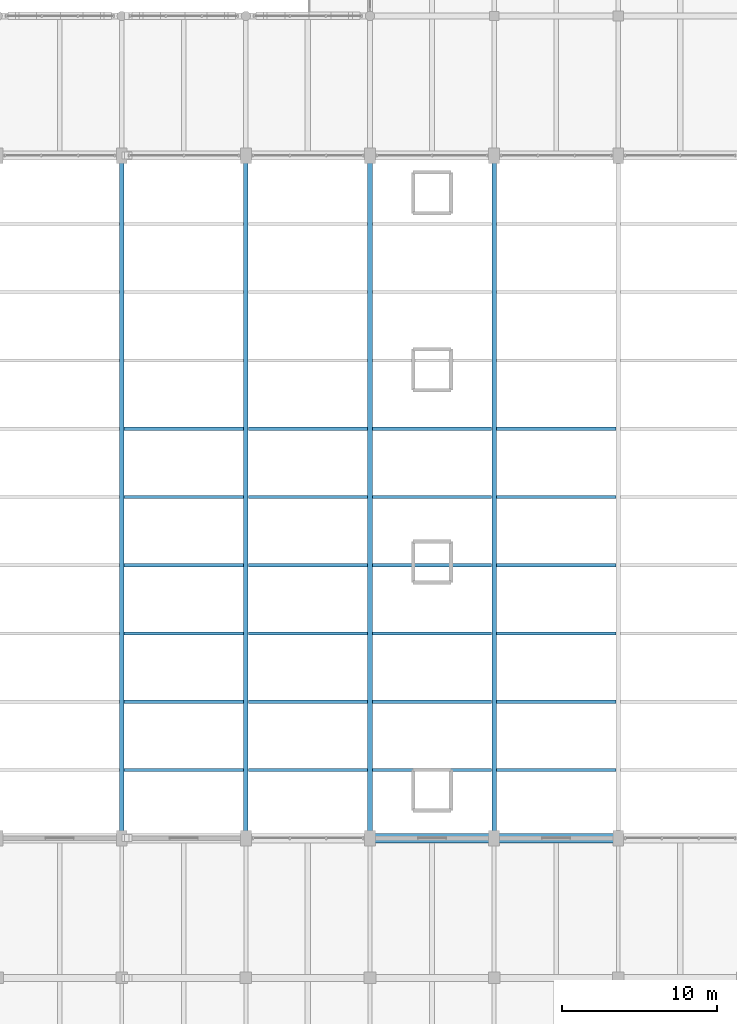
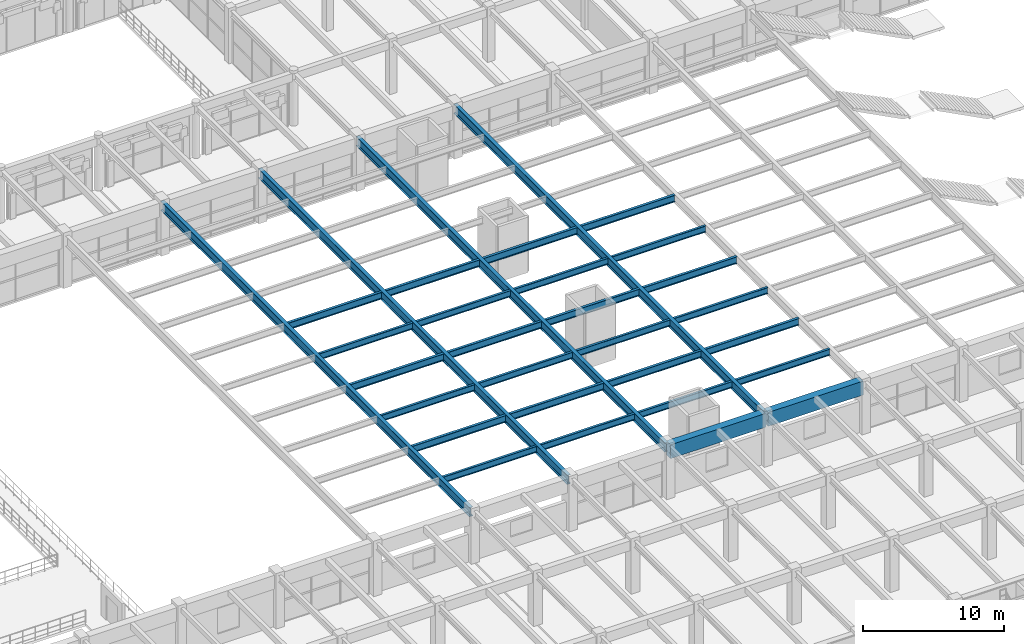
# One storey, part 26 of 144: 30 beams.
"""IFC4 building model written with IfcOpenShell, lengths in metres."""

import ifcopenshell
import ifcopenshell.guid

model = None  # the IFC model being written
_history = None  # IfcOwnerHistory: only IFC2X3 demands one
_inside = {}  # id of a spatial element -> (the spatial element, [elements in it])
_under = {}  # id of a project, library or spatial element -> (it, [spatial elements below it])
_declared = {}  # id of a project -> (the project, [libraries it declares])
_typed = {}  # id of a type object -> (the type object, [elements of that type])
_made_of = {}  # id of a material, layer set ... -> (it, [elements and type objects made of it])


def new_model(schema):
    """Start an empty IFC model of exactly this schema.

    Asked for "IFC4X3", IfcOpenShell would pick the latest addendum, in which some entities
    have other attributes; the version numbers below select the first issue.
    IFC2X3 requires an IfcOwnerHistory on every rooted entity: one is made here for all.
    """
    global model, _history
    if schema == "IFC4X3":
        model = ifcopenshell.file(schema_version=(4, 3, 0, 0))
    else:
        model = ifcopenshell.file(schema=schema)
    _inside.clear()
    _under.clear()
    _declared.clear()
    _typed.clear()
    _made_of.clear()
    _history = None
    if model.schema == "IFC2X3":
        org = make("IfcOrganization", Name="unknown")
        user = make(
            "IfcPersonAndOrganization",
            ThePerson=make("IfcPerson", FamilyName="unknown"),
            TheOrganization=org,
        )
        app = make(
            "IfcApplication",
            ApplicationDeveloper=org,
            Version="unknown",
            ApplicationFullName="unknown",
            ApplicationIdentifier="unknown",
        )
        _history = make(
            "IfcOwnerHistory",
            OwningUser=user,
            OwningApplication=app,
            ChangeAction="ADDED",
            CreationDate=0,
        )
    return model


def make(cls, **values):
    """One entity of the class cls with the attributes given. An attribute that is None is left unset."""
    return model.create_entity(
        cls, **{name: value for name, value in values.items() if value is not None}
    )


def rooted(cls, **values):
    """An entity with a GlobalId (a new one), such as an element, a storey or a relation."""
    return make(cls, GlobalId=ifcopenshell.guid.new(), OwnerHistory=_history, **values)


def si_unit(unit_type, name, prefix=None):
    """IfcSIUnit, for example si_unit("LENGTHUNIT", "METRE", prefix="MILLI")."""
    return make("IfcSIUnit", UnitType=unit_type, Prefix=prefix, Name=name)


def assignment(units):
    """IfcUnitAssignment: the units of a project."""
    return None if units is None else make("IfcUnitAssignment", Units=units)


def point(xyz):
    """IfcCartesianPoint."""
    return None if xyz is None else make("IfcCartesianPoint", Coordinates=xyz)


def direction(xyz):
    """IfcDirection."""
    return None if xyz is None else make("IfcDirection", DirectionRatios=xyz)


def frame(location, z_axis=None, x_axis=None):
    """IfcAxis2Placement3D, a coordinate frame: its origin and axes. An axis left out is left unset."""
    return make(
        "IfcAxis2Placement3D",
        Location=point(location),
        Axis=direction(z_axis),
        RefDirection=direction(x_axis),
    )


def frame_2d(location, x_axis=None):
    """IfcAxis2Placement2D, a coordinate frame in the plane: its origin and x axis."""
    return make(
        "IfcAxis2Placement2D", Location=point(location), RefDirection=direction(x_axis)
    )


def origin():
    """The frame at (0, 0, 0) with its axes left unset."""
    return frame((0.0, 0.0, 0.0))


def origin_2d():
    """The frame at (0, 0) in the plane with its x axis left unset."""
    return frame_2d((0.0, 0.0))


def place(relative_to, where):
    """IfcLocalPlacement: puts the frame where relative to a parent placement (None: the world)."""
    return make(
        "IfcLocalPlacement", PlacementRelTo=relative_to, RelativePlacement=where
    )


def context(
    kind, dimensions, precision=None, world=None, true_north=None, identifier=None
):
    """IfcGeometricRepresentationContext, for example the 3D "Model" context."""
    return make(
        "IfcGeometricRepresentationContext",
        ContextIdentifier=identifier,
        ContextType=kind,
        CoordinateSpaceDimension=dimensions,
        Precision=precision,
        WorldCoordinateSystem=world,
        TrueNorth=true_north,
    )


def subcontext(parent, identifier, kind, view, scale=None):
    """IfcGeometricRepresentationSubContext, for example "Body" below "Model"."""
    return make(
        "IfcGeometricRepresentationSubContext",
        ContextIdentifier=identifier,
        ContextType=kind,
        ParentContext=parent,
        TargetScale=scale,
        TargetView=view,
    )


def project(units=None, contexts=None):
    """IfcProject with its units and contexts."""
    return rooted(
        "IfcProject",
        Name="project",
        RepresentationContexts=contexts,
        UnitsInContext=assignment(units),
    )


def spatial(cls, under=None, at=None, **own):
    """A site, building, storey or space (cls), placed at a placement, below another one or the project."""
    s = rooted(cls, ObjectPlacement=at, **own)
    if under is not None:
        _under.setdefault(under.id(), (under, []))[1].append(s)
    return s


def profile(cls, at=None, kind="AREA", **sizes):
    """A parametric profile (cls). Its sizes go by their IFC names, for example OverallWidth=200.0."""
    return make(cls, ProfileType=kind, Position=at, **sizes)


def rectangle(**sizes):
    """IfcRectangleProfileDef."""
    return profile("IfcRectangleProfileDef", **sizes)


def i_section(**sizes):
    """IfcIShapeProfileDef."""
    return profile("IfcIShapeProfileDef", **sizes)


def extrude(swept, where, along, depth):
    """IfcExtrudedAreaSolid: the profile swept, set in the frame where, extruded along a direction by depth."""
    return make(
        "IfcExtrudedAreaSolid",
        SweptArea=swept,
        Position=where,
        ExtrudedDirection=direction(along),
        Depth=depth,
    )


def shape(context_of_items, identifier, shape_type, items):
    """IfcShapeRepresentation: the items that make up one representation, for example the "Body"."""
    return make(
        "IfcShapeRepresentation",
        ContextOfItems=context_of_items,
        RepresentationIdentifier=identifier,
        RepresentationType=shape_type,
        Items=items,
    )


def material(Name=None, Category=None):
    """IfcMaterial."""
    return make("IfcMaterial", Name=Name, Category=Category)


def material_profile(
    of_material, cross_section, Name=None, Category=None, Priority=None
):
    """IfcMaterialProfile: a cross section and its material."""
    return make(
        "IfcMaterialProfile",
        Name=Name,
        Material=of_material,
        Profile=cross_section,
        Priority=Priority,
        Category=Category,
    )


def profile_set(profiles, Name=None, composite=None):
    """IfcMaterialProfileSet."""
    return make(
        "IfcMaterialProfileSet",
        Name=Name,
        MaterialProfiles=profiles,
        CompositeProfile=composite,
    )


def made_of(thing, what):
    """Note that an element or type object is made of a material, layer set ...; save() writes the relation."""
    if what is not None:
        _made_of.setdefault(what.id(), (what, []))[1].append(thing)
    return thing


def type_object(cls, material=None, **own):
    """A type object (cls), such as IfcWallType, which elements share."""
    return made_of(rooted(cls, **own), material)


def element(
    cls,
    number,
    at=None,
    inside=None,
    cuts=None,
    type_object=None,
    material=None,
    context=None,
    identifier="Body",
    shape_type=None,
    held_by="IfcProductDefinitionShape",
    body=None,
    shapes=None,
    **own,
):
    """One element of the class cls, such as IfcWall. Its Tag is "e" and its number.

    at: its placement. inside: the storey or other place that contains it. cuts: it is an
    opening in that element (IfcRelVoidsElement). A single representation is given by context,
    identifier, shape_type and body (its items); several are given by shapes. held_by: the class
    of the entity that holds the representations. save() writes the other relations.
    """
    e = rooted(cls, Tag="e%d" % number, ObjectPlacement=at, **own)
    if body is not None:
        shapes = [shape(context, identifier, shape_type, body)]
    if shapes is not None:
        e.Representation = make(held_by, Representations=shapes)
    if inside is not None:
        _inside.setdefault(inside.id(), (inside, []))[1].append(e)
    if cuts is not None:
        rooted(
            "IfcRelVoidsElement", RelatingBuildingElement=cuts, RelatedOpeningElement=e
        )
    if type_object is not None:
        _typed.setdefault(type_object.id(), (type_object, []))[1].append(e)
    return made_of(e, material)


def aggregate(whole, parts):
    """IfcRelAggregates: a whole, such as a stair, and the parts it consists of."""
    return rooted("IfcRelAggregates", RelatingObject=whole, RelatedObjects=parts)


def save(model, path):
    """Write the relations noted so far, then the file.

    IfcRelAggregates (storeys below a building ...), IfcRelContainedInSpatialStructure (elements
    in a storey), IfcRelDefinesByType, IfcRelAssociatesMaterial and IfcRelDeclares: one each for
    every whole, place, type object, material and project.
    """
    for whole, parts in _under.values():
        aggregate(whole, parts)
    for where, things in _inside.values():
        rooted(
            "IfcRelContainedInSpatialStructure",
            RelatedElements=things,
            RelatingStructure=where,
        )
    for kind, things in _typed.values():
        rooted("IfcRelDefinesByType", RelatedObjects=things, RelatingType=kind)
    for what, things in _made_of.values():
        rooted("IfcRelAssociatesMaterial", RelatedObjects=things, RelatingMaterial=what)
    for by, libraries in _declared.values():
        rooted("IfcRelDeclares", RelatingContext=by, RelatedDefinitions=libraries)
    model.write(path)


model = new_model("IFC4")

# Units and contexts
model_context = context("Model", 3, precision=1e-05, world=origin(), true_north=direction((0.0, 1.0)))
body_context = subcontext(model_context, "Body", "Model", "MODEL_VIEW")
ifc_project = project(units=[si_unit("LENGTHUNIT", "METRE"), si_unit("AREAUNIT", "SQUARE_METRE"), si_unit("VOLUMEUNIT", "CUBIC_METRE"), si_unit("PLANEANGLEUNIT", "RADIAN"), si_unit("MASSUNIT", "GRAM", prefix="KILO")], contexts=[model_context])

# Site, building, storey
site_placement = place(None, origin())
site = spatial("IfcSite", under=ifc_project, at=site_placement, CompositionType="ELEMENT")
building_placement = place(site_placement, origin())
building = spatial("IfcBuilding", under=site, at=building_placement, Name="Varnabhumi Central Station", CompositionType="ELEMENT")
storey_placement = place(building_placement, frame((0.0, 0.0, 4.800048828125)))
storey = spatial("IfcBuildingStorey", under=building, at=storey_placement, Name="L01", CompositionType="ELEMENT", Elevation=4.800048828125)

# Beams
ifc_material_1 = material(Name="Structural steel E450", Category="steel")
ifc_material_profile_1 = material_profile(ifc_material_1, i_section(OverallWidth=0.300048828125, OverallDepth=0.800048828125, WebThickness=0.017578125, FlangeThickness=0.032958984375, FilletRadius=0.030029296875, at=origin_2d()), Name="Structural steel E450", Category="steel")
ifc_profile_set_1 = profile_set([ifc_material_profile_1], Name="Structural steel E450")
beam_type_1 = type_object("IfcBeamType", Name="BM-CONC-WPB800", PredefinedType="BEAM", material=ifc_profile_set_1)
for number, where, z_axis, x_axis, name in (
    (1, (64.0, 36.10009765625, 4.079833984375), (0.0, 1.0, 0.0), (-1.0, 0.0, 0.0), "Concourse Bridge Plate Girder G-9"),
    (2, (72.0, 36.10009765625, 4.079833984375), (0.0, 1.0, 0.0), (-1.0, 0.0, 0.0), "Concourse Bridge Plate Girder G-10"),
    (3, (80.0, 36.10009765625, 4.079833984375), (0.0, 1.0, 0.0), (-1.0, 0.0, 0.0), "Concourse Bridge Plate Girder G-11"),
    (4, (88.0, 36.10009765625, 4.079833984375), (0.0, 1.0, 0.0), (-1.0, 0.0, 0.0), "Concourse Bridge Plate Girder G-12"),
):
    element("IfcBeam", number, at=place(storey_placement, frame(where, z_axis=z_axis, x_axis=x_axis)), inside=storey, type_object=beam_type_1, Name=name, PredefinedType="BEAM", context=body_context, shape_type="SweptSolid", body=[
        extrude(i_section(OverallWidth=0.300048828125, OverallDepth=0.800048828125, WebThickness=0.017578125, FlangeThickness=0.032958984375, FilletRadius=0.030029296875, at=origin_2d()), origin(), (0.0, 0.0, 1.0), 43.7998046875),
    ])
ifc_material_2 = material(Name="Structural steel E350", Category="steel")
ifc_material_profile_2 = material_profile(ifc_material_2, i_section(OverallWidth=0.18994140625, OverallDepth=0.550048828125, WebThickness=0.01123046875, FlangeThickness=0.019287109375, FilletRadius=0.01806640625, at=origin_2d()), Name="Structural steel E350", Category="steel")
ifc_profile_set_2 = profile_set([ifc_material_profile_2], Name="Structural steel E350")
beam_type_2 = type_object("IfcBeamType", Name="BM-JST-ISMB550", PredefinedType="JOIST", material=ifc_profile_set_2)
for number, where, z_axis, x_axis, name in (
    (5, (64.155029296875, 40.39990234375, 4.204833984375), (1.0, 0.0, 0.0), (0.0, 1.0, 0.0), "Concourse Stringer 9-10-S1"),
    (6, (64.155029296875, 49.199951171875, 4.204833984375), (1.0, 0.0, 0.0), (0.0, 1.0, 0.0), "Concourse Stringer 9-10-S3"),
    (7, (64.155029296875, 58.0, 4.204833984375), (1.0, 0.0, 0.0), (0.0, 1.0, 0.0), "Concourse Stringer 9-10-S5"),
    (8, (72.155029296875, 40.39990234375, 4.204833984375), (1.0, 0.0, 0.0), (0.0, 1.0, 0.0), "Concourse Stringer 10-11-S1"),
    (9, (72.155029296875, 49.199951171875, 4.204833984375), (1.0, 0.0, 0.0), (0.0, 1.0, 0.0), "Concourse Stringer 10-11-S3"),
    (10, (72.155029296875, 58.0, 4.204833984375), (1.0, 0.0, 0.0), (0.0, 1.0, 0.0), "Concourse Stringer 10-11-S5"),
    (11, (80.155029296875, 40.39990234375, 4.204833984375), (1.0, 0.0, 0.0), (0.0, 1.0, 0.0), "Concourse Stringer 11-12-S1"),
    (12, (80.155029296875, 49.199951171875, 4.204833984375), (1.0, 0.0, 0.0), (0.0, 1.0, 0.0), "Concourse Stringer 11-12-S3"),
    (13, (80.155029296875, 58.0, 4.204833984375), (1.0, 0.0, 0.0), (0.0, 1.0, 0.0), "Concourse Stringer 11-12-S5"),
    (14, (88.155029296875, 40.39990234375, 4.204833984375), (1.0, 0.0, 0.0), (0.0, 1.0, 0.0), "Concourse Stringer 12-13-S1"),
    (15, (88.155029296875, 49.199951171875, 4.204833984375), (1.0, 0.0, 0.0), (0.0, 1.0, 0.0), "Concourse Stringer 12-13-S3"),
    (16, (88.155029296875, 58.0, 4.204833984375), (1.0, 0.0, 0.0), (0.0, 1.0, 0.0), "Concourse Stringer 12-13-S5"),
):
    element("IfcBeam", number, at=place(storey_placement, frame(where, z_axis=z_axis, x_axis=x_axis)), inside=storey, type_object=beam_type_2, Name=name, PredefinedType="JOIST", context=body_context, shape_type="SweptSolid", body=[
        extrude(i_section(OverallWidth=0.18994140625, OverallDepth=0.550048828125, WebThickness=0.01123046875, FlangeThickness=0.019287109375, FilletRadius=0.01806640625, at=origin_2d()), origin(), (0.0, 0.0, 1.0), 7.68994140625),
    ])
ifc_material_profile_3 = material_profile(ifc_material_2, i_section(OverallWidth=0.2099609375, OverallDepth=0.60009765625, WebThickness=0.011962890625, FlangeThickness=0.020751953125, FilletRadius=0.02001953125, at=origin_2d()), Name="Structural steel E350", Category="steel")
ifc_profile_set_3 = profile_set([ifc_material_profile_3], Name="Structural steel E350")
beam_type_3 = type_object("IfcBeamType", Name="BM-JST-ISMB600", PredefinedType="JOIST", material=ifc_profile_set_3)
for number, where, z_axis, x_axis, name in (
    (17, (64.155029296875, 44.800048828125, 4.179931640625), (1.0, 0.0, 0.0), (0.0, 1.0, 0.0), "Concourse Stringer 9-10-S2"),
    (18, (64.155029296875, 53.60009765625, 4.179931640625), (1.0, 0.0, 0.0), (0.0, 1.0, 0.0), "Concourse Stringer 9-10-S4"),
    (19, (64.155029296875, 62.39990234375, 4.179931640625), (1.0, 0.0, 0.0), (0.0, 1.0, 0.0), "Concourse Stringer 9-10-S6"),
    (20, (72.155029296875, 44.800048828125, 4.179931640625), (1.0, 0.0, 0.0), (0.0, 1.0, 0.0), "Concourse Stringer 10-11-S2"),
    (21, (72.155029296875, 53.60009765625, 4.179931640625), (1.0, 0.0, 0.0), (0.0, 1.0, 0.0), "Concourse Stringer 10-11-S4"),
    (22, (72.155029296875, 62.39990234375, 4.179931640625), (1.0, 0.0, 0.0), (0.0, 1.0, 0.0), "Concourse Stringer 10-11-S6"),
    (23, (80.155029296875, 44.800048828125, 4.179931640625), (1.0, 0.0, 0.0), (0.0, 1.0, 0.0), "Concourse Stringer 11-12-S2"),
    (24, (80.155029296875, 53.60009765625, 4.179931640625), (1.0, 0.0, 0.0), (0.0, 1.0, 0.0), "Concourse Stringer 11-12-S4"),
    (25, (80.155029296875, 62.39990234375, 4.179931640625), (1.0, 0.0, 0.0), (0.0, 1.0, 0.0), "Concourse Stringer 11-12-S6"),
    (26, (88.155029296875, 44.800048828125, 4.179931640625), (1.0, 0.0, 0.0), (0.0, 1.0, 0.0), "Concourse Stringer 12-13-S2"),
    (27, (88.155029296875, 53.60009765625, 4.179931640625), (1.0, 0.0, 0.0), (0.0, 1.0, 0.0), "Concourse Stringer 12-13-S4"),
    (28, (88.155029296875, 62.39990234375, 4.179931640625), (1.0, 0.0, 0.0), (0.0, 1.0, 0.0), "Concourse Stringer 12-13-S6"),
):
    element("IfcBeam", number, at=place(storey_placement, frame(where, z_axis=z_axis, x_axis=x_axis)), inside=storey, type_object=beam_type_3, Name=name, PredefinedType="JOIST", context=body_context, shape_type="SweptSolid", body=[
        extrude(i_section(OverallWidth=0.2099609375, OverallDepth=0.60009765625, WebThickness=0.011962890625, FlangeThickness=0.020751953125, FilletRadius=0.02001953125, at=origin_2d()), origin(), (0.0, 0.0, 1.0), 7.68994140625),
    ])
ifc_material_3 = material(Name="Concrete M50", Category="concrete")
ifc_material_profile_4 = material_profile(ifc_material_3, rectangle(XDim=0.60009765625, YDim=1.199951171875, at=origin_2d()), Name="Concrete M50", Category="concrete")
ifc_profile_set_4 = profile_set([ifc_material_profile_4], Name="Concrete M50")
beam_type_4 = type_object("IfcBeamType", Name="BM-RC-1200x600", PredefinedType="BEAM", material=ifc_profile_set_4)
for number, where, z_axis, x_axis, name in (
    (29, (80.10009765625, 36.0, 3.8798828125), (1.0, 0.0, 0.0), (0.0, 1.0, 0.0), "Beam L01-E:11-12"),
    (30, (88.10009765625, 36.0, 3.8798828125), (1.0, 0.0, 0.0), (0.0, 1.0, 0.0), "Beam L01-E:12-13"),
):
    element("IfcBeam", number, at=place(storey_placement, frame(where, z_axis=z_axis, x_axis=x_axis)), inside=storey, type_object=beam_type_4, Name=name, PredefinedType="BEAM", context=body_context, shape_type="SweptSolid", body=[
        extrude(rectangle(XDim=0.60009765625, YDim=1.199951171875, at=origin_2d()), origin(), (0.0, 0.0, 1.0), 7.7998046875),
    ])

save(model, "model.ifc")
